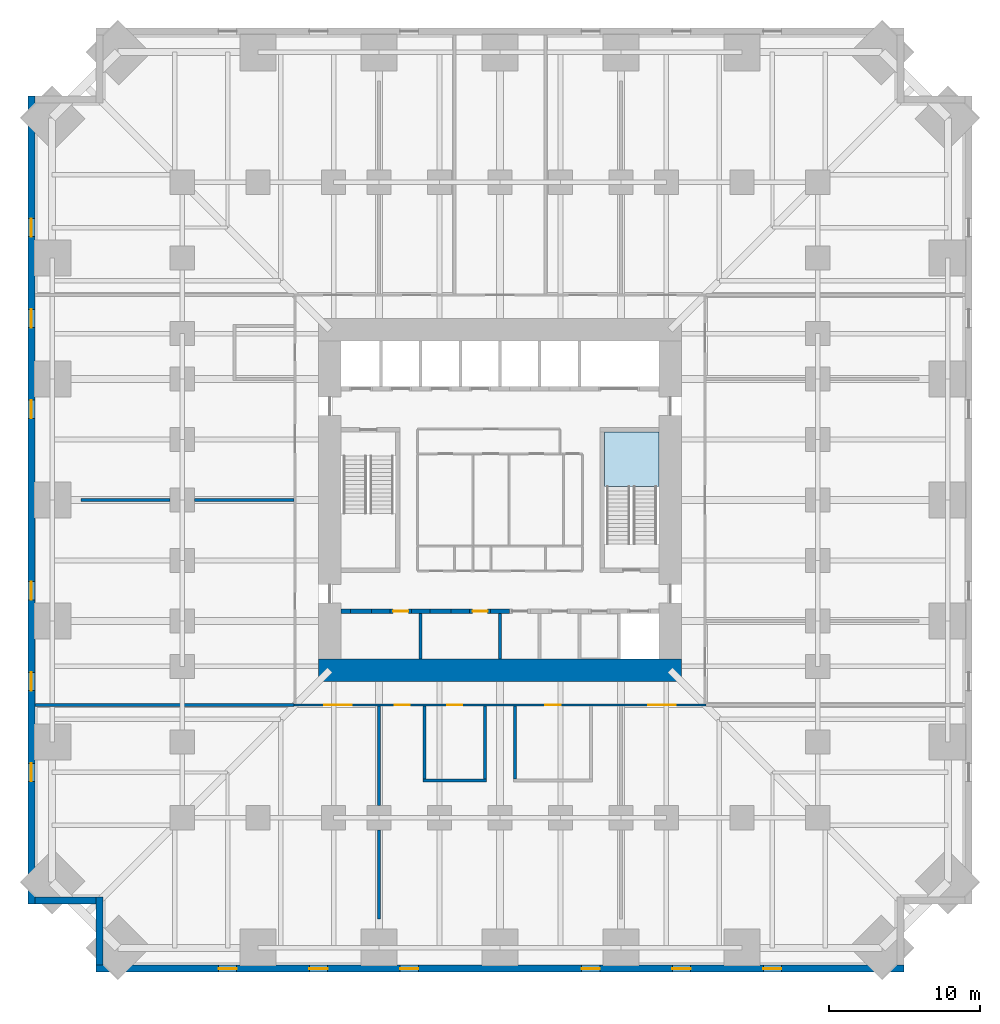
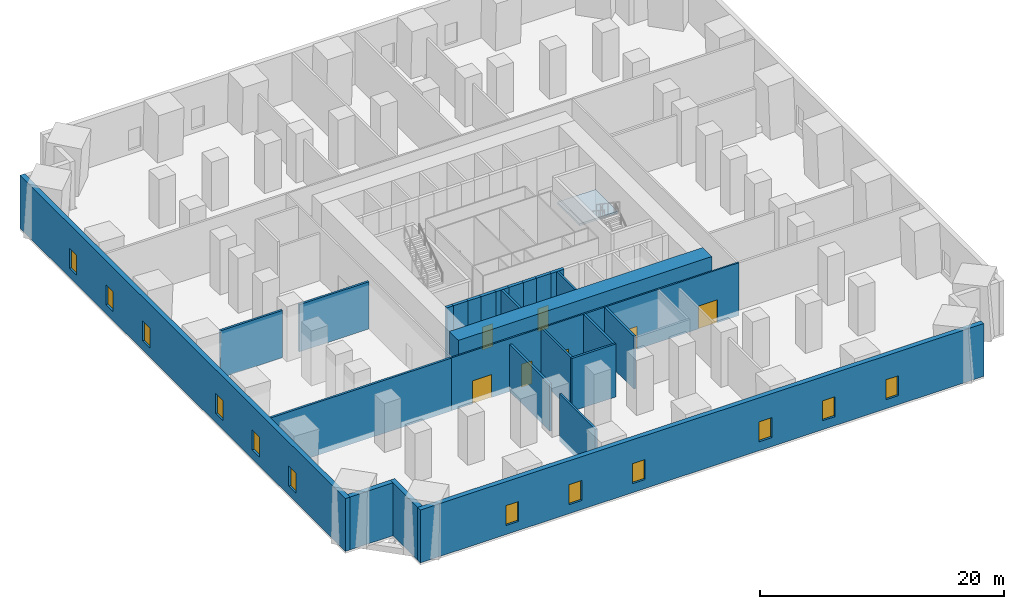
# One storey, part 3 of 8: 26 walls, 12 windows, 7 doors, 1 slab, 19 openings, 1 element without a shape of its own.
"""IFC4 building model written with IfcOpenShell, lengths in metres."""

from ifc_helpers import new_model, si_unit, direction, frame, frame_2d, origin, place, context, subcontext, project, spatial, polyline, rectangle, outline, extrude, material, layer, layer_set, type_object, element, fill, aggregate, save


model = new_model("IFC4")

# Units and contexts
model_context = context("Model", 3, precision=1e-05, world=origin(), true_north=direction((0.0, 1.0)))
body_context = subcontext(model_context, "Body", "Model", "MODEL_VIEW")
ifc_project = project(units=[si_unit("LENGTHUNIT", "METRE"), si_unit("AREAUNIT", "SQUARE_METRE"), si_unit("VOLUMEUNIT", "CUBIC_METRE"), si_unit("PLANEANGLEUNIT", "RADIAN"), si_unit("MASSUNIT", "GRAM", prefix="KILO")], contexts=[model_context])

# Site, building, storey
site_placement = place(None, origin())
site = spatial("IfcSite", under=ifc_project, at=site_placement, CompositionType="ELEMENT")
building_placement = place(site_placement, origin())
building = spatial("IfcBuilding", under=site, at=building_placement, Name="Peilmerk Tower", CompositionType="ELEMENT")
storey_placement = place(building_placement, frame((0.0, 0.0, 32.0)))
storey = spatial("IfcBuildingStorey", under=building, at=storey_placement, Name="L06", CompositionType="ELEMENT", Elevation=32.0)

# Stair, slab
ifc_material_1 = material(Name="Precast concrete C45/55", Category="concrete")
stair_type = type_object("IfcStairType", Name="ST2 30 risers of 183.3", PredefinedType="HALF_TURN_STAIR", material=ifc_material_1)
stair_placement = place(storey_placement, origin())
stair = element("IfcStair", 1, at=stair_placement, inside=storey, type_object=stair_type, Name="Stair 2 L06 to L07", PredefinedType="HALF_TURN_STAIR")
ifc_material_2 = material(Name="Concrete C35/45", Category="concrete")
ifc_layer_1 = layer(ifc_material_2, 0.199951171875)
ifc_layer_set_1 = layer_set([ifc_layer_1], Name="Concrete C35/45")
slab_type = type_object("IfcSlabType", Name="SL1 200 concrete stair landing", PredefinedType="LANDING", material=ifc_layer_set_1)
slab_placement = place(storey_placement, frame((0.0, 0.0, 2.550048828125)))
slab = element("IfcSlab", 2, at=slab_placement, type_object=slab_type, Name="ST2 landing 1", PredefinedType="LANDING", context=body_context, shape_type="SweptSolid", body=[
    extrude(outline(polyline([(6.89990234375, 0.8798828125), (10.5, 0.8798828125), (10.5, 4.5), (6.89990234375, 4.5), (6.89990234375, 0.8798828125)])), origin(), (0.0, 0.0, 1.0), 0.199951171875),
])
aggregate(stair, [slab])

# Wall, openings, windows
ifc_material_3 = material(Name="Precast concrete C45/55, board-marked finish", Category="concrete")
ifc_layer_2 = layer(ifc_material_3, 0.449951171875)
ifc_layer_set_2 = layer_set([ifc_layer_2], Name="Precast concrete C45/55, board-marked finish")
wall_type_1 = type_object("IfcWallType", Name="EW1 450 precast concrete facade wall, board-marked", PredefinedType="SOLIDWALL", material=ifc_layer_set_2)
wall_1_placement = place(storey_placement, frame((-26.699951171875, -30.97509765625, 0.0), z_axis=(0.0, 0.0, 1.0), x_axis=(1.0, 0.0, 0.0)))
wall_1 = element("IfcWall", 3, at=wall_1_placement, inside=storey, type_object=wall_type_1, Name="Facade wall S L06", PredefinedType="SOLIDWALL", context=body_context, shape_type="SweptSolid", body=[
    extrude(rectangle(XDim=53.39990234375, YDim=0.449951171875, at=frame_2d((26.699951171875, 0.0))), origin(), (0.0, 0.0, 1.0), 5.300048828125),
])
opening_1_placement = place(wall_1_placement, frame((8.10009765625, 0.0, 0.89990234375)))
opening_1 = element("IfcOpeningElement", 4, at=opening_1_placement, cuts=wall_1, Name="Opening W2", PredefinedType="OPENING", context=body_context, shape_type="SweptSolid", body=[
    extrude(rectangle(XDim=1.199951171875, YDim=2.0, at=frame_2d((0.60009765625, 1.0))), frame((0.0, 0.23486328125, 0.0), z_axis=(0.0, -1.0, 0.0), x_axis=(1.0, 0.0, 0.0)), (0.0, 0.0, 1.0), 0.469970703125),
])
opening_2_placement = place(wall_1_placement, frame((14.10009765625, 0.0, 0.89990234375)))
opening_2 = element("IfcOpeningElement", 5, at=opening_2_placement, cuts=wall_1, Name="Opening W2", PredefinedType="OPENING", context=body_context, shape_type="SweptSolid", body=[
    extrude(rectangle(XDim=1.199951171875, YDim=2.0, at=frame_2d((0.60009765625, 1.0))), frame((0.0, 0.23486328125, 0.0), z_axis=(0.0, -1.0, 0.0), x_axis=(1.0, 0.0, 0.0)), (0.0, 0.0, 1.0), 0.469970703125),
])
opening_3_placement = place(wall_1_placement, frame((20.10009765625, 0.0, 0.89990234375)))
opening_3 = element("IfcOpeningElement", 6, at=opening_3_placement, cuts=wall_1, Name="Opening W2", PredefinedType="OPENING", context=body_context, shape_type="SweptSolid", body=[
    extrude(rectangle(XDim=1.199951171875, YDim=2.0, at=frame_2d((0.60009765625, 1.0))), frame((0.0, 0.23486328125, 0.0), z_axis=(0.0, -1.0, 0.0), x_axis=(1.0, 0.0, 0.0)), (0.0, 0.0, 1.0), 0.469970703125),
])
opening_4_placement = place(wall_1_placement, frame((32.10009765625, 0.0, 0.89990234375)))
opening_4 = element("IfcOpeningElement", 7, at=opening_4_placement, cuts=wall_1, Name="Opening W2", PredefinedType="OPENING", context=body_context, shape_type="SweptSolid", body=[
    extrude(rectangle(XDim=1.199951171875, YDim=2.0, at=frame_2d((0.60009765625, 1.0))), frame((0.0, 0.23486328125, 0.0), z_axis=(0.0, -1.0, 0.0), x_axis=(1.0, 0.0, 0.0)), (0.0, 0.0, 1.0), 0.469970703125),
])
opening_5_placement = place(wall_1_placement, frame((38.10009765625, 0.0, 0.89990234375)))
opening_5 = element("IfcOpeningElement", 8, at=opening_5_placement, cuts=wall_1, Name="Opening W2", PredefinedType="OPENING", context=body_context, shape_type="SweptSolid", body=[
    extrude(rectangle(XDim=1.199951171875, YDim=2.0, at=frame_2d((0.60009765625, 1.0))), frame((0.0, 0.23486328125, 0.0), z_axis=(0.0, -1.0, 0.0), x_axis=(1.0, 0.0, 0.0)), (0.0, 0.0, 1.0), 0.469970703125),
])
opening_6_placement = place(wall_1_placement, frame((44.10009765625, 0.0, 0.89990234375)))
opening_6 = element("IfcOpeningElement", 9, at=opening_6_placement, cuts=wall_1, Name="Opening W2", PredefinedType="OPENING", context=body_context, shape_type="SweptSolid", body=[
    extrude(rectangle(XDim=1.199951171875, YDim=2.0, at=frame_2d((0.60009765625, 1.0))), frame((0.0, 0.23486328125, 0.0), z_axis=(0.0, -1.0, 0.0), x_axis=(1.0, 0.0, 0.0)), (0.0, 0.0, 1.0), 0.469970703125),
])
ifc_material_4 = material(Name="Aluminium frame, clear double glazing", Category="aluminium")
window_type = type_object("IfcWindowType", Name="W2 1200x2000 data hall slot window", PartitioningType="SINGLE_PANEL", PredefinedType="WINDOW", material=ifc_material_4)
window_1_placement = place(opening_1_placement, origin())
window_1 = element("IfcWindow", 10, at=window_1_placement, inside=storey, type_object=window_type, Name="Window W2 L06", OverallHeight=2.0, OverallWidth=1.199951171875, PartitioningType="SINGLE_PANEL", PredefinedType="WINDOW", context=body_context, shape_type="SweptSolid", body=[
    extrude(rectangle(XDim=1.199951171875, YDim=2.0, at=frame_2d((0.60009765625, 1.0))), frame((0.0, 0.030029296875, 0.0), z_axis=(0.0, -1.0, 0.0), x_axis=(1.0, 0.0, 0.0)), (0.0, 0.0, 1.0), 0.06005859375),
])
fill(opening_1, window_1)
window_2_placement = place(opening_2_placement, origin())
window_2 = element("IfcWindow", 11, at=window_2_placement, inside=storey, type_object=window_type, Name="Window W2 L06", OverallHeight=2.0, OverallWidth=1.199951171875, PartitioningType="SINGLE_PANEL", PredefinedType="WINDOW", context=body_context, shape_type="SweptSolid", body=[
    extrude(rectangle(XDim=1.199951171875, YDim=2.0, at=frame_2d((0.60009765625, 1.0))), frame((0.0, 0.030029296875, 0.0), z_axis=(0.0, -1.0, 0.0), x_axis=(1.0, 0.0, 0.0)), (0.0, 0.0, 1.0), 0.06005859375),
])
fill(opening_2, window_2)
window_3_placement = place(opening_3_placement, origin())
window_3 = element("IfcWindow", 12, at=window_3_placement, inside=storey, type_object=window_type, Name="Window W2 L06", OverallHeight=2.0, OverallWidth=1.199951171875, PartitioningType="SINGLE_PANEL", PredefinedType="WINDOW", context=body_context, shape_type="SweptSolid", body=[
    extrude(rectangle(XDim=1.199951171875, YDim=2.0, at=frame_2d((0.60009765625, 1.0))), frame((0.0, 0.030029296875, 0.0), z_axis=(0.0, -1.0, 0.0), x_axis=(1.0, 0.0, 0.0)), (0.0, 0.0, 1.0), 0.06005859375),
])
fill(opening_3, window_3)
window_4_placement = place(opening_4_placement, origin())
window_4 = element("IfcWindow", 13, at=window_4_placement, inside=storey, type_object=window_type, Name="Window W2 L06", OverallHeight=2.0, OverallWidth=1.199951171875, PartitioningType="SINGLE_PANEL", PredefinedType="WINDOW", context=body_context, shape_type="SweptSolid", body=[
    extrude(rectangle(XDim=1.199951171875, YDim=2.0, at=frame_2d((0.60009765625, 1.0))), frame((0.0, 0.030029296875, 0.0), z_axis=(0.0, -1.0, 0.0), x_axis=(1.0, 0.0, 0.0)), (0.0, 0.0, 1.0), 0.06005859375),
])
fill(opening_4, window_4)
window_5_placement = place(opening_5_placement, origin())
window_5 = element("IfcWindow", 14, at=window_5_placement, inside=storey, type_object=window_type, Name="Window W2 L06", OverallHeight=2.0, OverallWidth=1.199951171875, PartitioningType="SINGLE_PANEL", PredefinedType="WINDOW", context=body_context, shape_type="SweptSolid", body=[
    extrude(rectangle(XDim=1.199951171875, YDim=2.0, at=frame_2d((0.60009765625, 1.0))), frame((0.0, 0.030029296875, 0.0), z_axis=(0.0, -1.0, 0.0), x_axis=(1.0, 0.0, 0.0)), (0.0, 0.0, 1.0), 0.06005859375),
])
fill(opening_5, window_5)
window_6_placement = place(opening_6_placement, origin())
window_6 = element("IfcWindow", 15, at=window_6_placement, inside=storey, type_object=window_type, Name="Window W2 L06", OverallHeight=2.0, OverallWidth=1.199951171875, PartitioningType="SINGLE_PANEL", PredefinedType="WINDOW", context=body_context, shape_type="SweptSolid", body=[
    extrude(rectangle(XDim=1.199951171875, YDim=2.0, at=frame_2d((0.60009765625, 1.0))), frame((0.0, 0.030029296875, 0.0), z_axis=(0.0, -1.0, 0.0), x_axis=(1.0, 0.0, 0.0)), (0.0, 0.0, 1.0), 0.06005859375),
])
fill(opening_6, window_6)

wall_2_placement = place(storey_placement, frame((-30.97509765625, 26.699951171875, 0.0), z_axis=(0.0, 0.0, 1.0), x_axis=(0.0, -1.0, 0.0)))
wall_2 = element("IfcWall", 16, at=wall_2_placement, inside=storey, type_object=wall_type_1, Name="Facade wall W L06", PredefinedType="SOLIDWALL", context=body_context, shape_type="SweptSolid", body=[
    extrude(rectangle(XDim=53.39990234375, YDim=0.449951171875, at=frame_2d((26.699951171875, 0.0))), origin(), (0.0, 0.0, 1.0), 5.300048828125),
])
opening_7_placement = place(wall_2_placement, frame((8.10009765625, 0.0, 0.89990234375)))
opening_7 = element("IfcOpeningElement", 17, at=opening_7_placement, cuts=wall_2, Name="Opening W2", PredefinedType="OPENING", context=body_context, shape_type="SweptSolid", body=[
    extrude(rectangle(XDim=1.199951171875, YDim=2.0, at=frame_2d((0.60009765625, 1.0))), frame((0.0, 0.23486328125, 0.0), z_axis=(0.0, -1.0, 0.0), x_axis=(1.0, 0.0, 0.0)), (0.0, 0.0, 1.0), 0.469970703125),
])
opening_8_placement = place(wall_2_placement, frame((14.10009765625, 0.0, 0.89990234375)))
opening_8 = element("IfcOpeningElement", 18, at=opening_8_placement, cuts=wall_2, Name="Opening W2", PredefinedType="OPENING", context=body_context, shape_type="SweptSolid", body=[
    extrude(rectangle(XDim=1.199951171875, YDim=2.0, at=frame_2d((0.60009765625, 1.0))), frame((0.0, 0.23486328125, 0.0), z_axis=(0.0, -1.0, 0.0), x_axis=(1.0, 0.0, 0.0)), (0.0, 0.0, 1.0), 0.469970703125),
])
opening_9_placement = place(wall_2_placement, frame((20.10009765625, 0.0, 0.89990234375)))
opening_9 = element("IfcOpeningElement", 19, at=opening_9_placement, cuts=wall_2, Name="Opening W2", PredefinedType="OPENING", context=body_context, shape_type="SweptSolid", body=[
    extrude(rectangle(XDim=1.199951171875, YDim=2.0, at=frame_2d((0.60009765625, 1.0))), frame((0.0, 0.23486328125, 0.0), z_axis=(0.0, -1.0, 0.0), x_axis=(1.0, 0.0, 0.0)), (0.0, 0.0, 1.0), 0.469970703125),
])
opening_10_placement = place(wall_2_placement, frame((32.10009765625, 0.0, 0.89990234375)))
opening_10 = element("IfcOpeningElement", 20, at=opening_10_placement, cuts=wall_2, Name="Opening W2", PredefinedType="OPENING", context=body_context, shape_type="SweptSolid", body=[
    extrude(rectangle(XDim=1.199951171875, YDim=2.0, at=frame_2d((0.60009765625, 1.0))), frame((0.0, 0.23486328125, 0.0), z_axis=(0.0, -1.0, 0.0), x_axis=(1.0, 0.0, 0.0)), (0.0, 0.0, 1.0), 0.469970703125),
])
opening_11_placement = place(wall_2_placement, frame((38.10009765625, 0.0, 0.89990234375)))
opening_11 = element("IfcOpeningElement", 21, at=opening_11_placement, cuts=wall_2, Name="Opening W2", PredefinedType="OPENING", context=body_context, shape_type="SweptSolid", body=[
    extrude(rectangle(XDim=1.199951171875, YDim=2.0, at=frame_2d((0.60009765625, 1.0))), frame((0.0, 0.23486328125, 0.0), z_axis=(0.0, -1.0, 0.0), x_axis=(1.0, 0.0, 0.0)), (0.0, 0.0, 1.0), 0.469970703125),
])
opening_12_placement = place(wall_2_placement, frame((44.10009765625, 0.0, 0.89990234375)))
opening_12 = element("IfcOpeningElement", 22, at=opening_12_placement, cuts=wall_2, Name="Opening W2", PredefinedType="OPENING", context=body_context, shape_type="SweptSolid", body=[
    extrude(rectangle(XDim=1.199951171875, YDim=2.0, at=frame_2d((0.60009765625, 1.0))), frame((0.0, 0.23486328125, 0.0), z_axis=(0.0, -1.0, 0.0), x_axis=(1.0, 0.0, 0.0)), (0.0, 0.0, 1.0), 0.469970703125),
])
window_7_placement = place(opening_7_placement, origin())
window_7 = element("IfcWindow", 23, at=window_7_placement, inside=storey, type_object=window_type, Name="Window W2 L06", OverallHeight=2.0, OverallWidth=1.199951171875, PartitioningType="SINGLE_PANEL", PredefinedType="WINDOW", context=body_context, shape_type="SweptSolid", body=[
    extrude(rectangle(XDim=1.199951171875, YDim=2.0, at=frame_2d((0.60009765625, 1.0))), frame((0.0, 0.030029296875, 0.0), z_axis=(0.0, -1.0, 0.0), x_axis=(1.0, 0.0, 0.0)), (0.0, 0.0, 1.0), 0.06005859375),
])
fill(opening_7, window_7)
window_8_placement = place(opening_8_placement, origin())
window_8 = element("IfcWindow", 24, at=window_8_placement, inside=storey, type_object=window_type, Name="Window W2 L06", OverallHeight=2.0, OverallWidth=1.199951171875, PartitioningType="SINGLE_PANEL", PredefinedType="WINDOW", context=body_context, shape_type="SweptSolid", body=[
    extrude(rectangle(XDim=1.199951171875, YDim=2.0, at=frame_2d((0.60009765625, 1.0))), frame((0.0, 0.030029296875, 0.0), z_axis=(0.0, -1.0, 0.0), x_axis=(1.0, 0.0, 0.0)), (0.0, 0.0, 1.0), 0.06005859375),
])
fill(opening_8, window_8)
window_9_placement = place(opening_9_placement, origin())
window_9 = element("IfcWindow", 25, at=window_9_placement, inside=storey, type_object=window_type, Name="Window W2 L06", OverallHeight=2.0, OverallWidth=1.199951171875, PartitioningType="SINGLE_PANEL", PredefinedType="WINDOW", context=body_context, shape_type="SweptSolid", body=[
    extrude(rectangle(XDim=1.199951171875, YDim=2.0, at=frame_2d((0.60009765625, 1.0))), frame((0.0, 0.030029296875, 0.0), z_axis=(0.0, -1.0, 0.0), x_axis=(1.0, 0.0, 0.0)), (0.0, 0.0, 1.0), 0.06005859375),
])
fill(opening_9, window_9)
window_10_placement = place(opening_10_placement, origin())
window_10 = element("IfcWindow", 26, at=window_10_placement, inside=storey, type_object=window_type, Name="Window W2 L06", OverallHeight=2.0, OverallWidth=1.199951171875, PartitioningType="SINGLE_PANEL", PredefinedType="WINDOW", context=body_context, shape_type="SweptSolid", body=[
    extrude(rectangle(XDim=1.199951171875, YDim=2.0, at=frame_2d((0.60009765625, 1.0))), frame((0.0, 0.030029296875, 0.0), z_axis=(0.0, -1.0, 0.0), x_axis=(1.0, 0.0, 0.0)), (0.0, 0.0, 1.0), 0.06005859375),
])
fill(opening_10, window_10)
window_11_placement = place(opening_11_placement, origin())
window_11 = element("IfcWindow", 27, at=window_11_placement, inside=storey, type_object=window_type, Name="Window W2 L06", OverallHeight=2.0, OverallWidth=1.199951171875, PartitioningType="SINGLE_PANEL", PredefinedType="WINDOW", context=body_context, shape_type="SweptSolid", body=[
    extrude(rectangle(XDim=1.199951171875, YDim=2.0, at=frame_2d((0.60009765625, 1.0))), frame((0.0, 0.030029296875, 0.0), z_axis=(0.0, -1.0, 0.0), x_axis=(1.0, 0.0, 0.0)), (0.0, 0.0, 1.0), 0.06005859375),
])
fill(opening_11, window_11)
window_12_placement = place(opening_12_placement, origin())
window_12 = element("IfcWindow", 28, at=window_12_placement, inside=storey, type_object=window_type, Name="Window W2 L06", OverallHeight=2.0, OverallWidth=1.199951171875, PartitioningType="SINGLE_PANEL", PredefinedType="WINDOW", context=body_context, shape_type="SweptSolid", body=[
    extrude(rectangle(XDim=1.199951171875, YDim=2.0, at=frame_2d((0.60009765625, 1.0))), frame((0.0, 0.030029296875, 0.0), z_axis=(0.0, -1.0, 0.0), x_axis=(1.0, 0.0, 0.0)), (0.0, 0.0, 1.0), 0.06005859375),
])
fill(opening_12, window_12)

# Walls
wall_3_placement = place(storey_placement, frame((-26.47509765625, -26.25, 0.0), z_axis=(0.0, 0.0, 1.0), x_axis=(0.0, -1.0, 0.0)))
element("IfcWall", 29, at=wall_3_placement, inside=storey, type_object=wall_type_1, Name="Facade wall SWA L06", PredefinedType="SOLIDWALL", context=body_context, shape_type="SweptSolid", body=[
    extrude(rectangle(XDim=4.5, YDim=0.449951171875, at=frame_2d((2.25, 0.0))), origin(), (0.0, 0.0, 1.0), 5.300048828125),
])
wall_4_placement = place(storey_placement, frame((-26.699951171875, -26.47509765625, 0.0), z_axis=(0.0, 0.0, 1.0), x_axis=(-1.0, 0.0, 0.0)))
element("IfcWall", 30, at=wall_4_placement, inside=storey, type_object=wall_type_1, Name="Facade wall SWB L06", PredefinedType="SOLIDWALL", context=body_context, shape_type="SweptSolid", body=[
    extrude(rectangle(XDim=4.050048828125, YDim=0.449951171875, at=frame_2d((2.02490234375, 0.0))), origin(), (0.0, 0.0, 1.0), 5.300048828125),
])

# Wall, openings, doors
ifc_material_5 = material(Name="Calcium silicate block", Category="masonry")
ifc_layer_3 = layer(ifc_material_5, 0.14990234375)
ifc_layer_set_3 = layer_set([ifc_layer_3], Name="Calcium silicate block")
wall_type_2 = type_object("IfcWallType", Name="IW1 150 corridor partition, EI 60", PredefinedType="PARTITIONING", material=ifc_layer_set_3)
wall_5_placement = place(storey_placement, frame((13.625, -13.550048828125, 0.0), z_axis=(0.0, 0.0, 1.0), x_axis=(-1.0, 0.0, 0.0)))
wall_5 = element("IfcWall", 31, at=wall_5_placement, inside=storey, type_object=wall_type_2, Name="Corridor wall S L06", PredefinedType="PARTITIONING", context=body_context, shape_type="SweptSolid", body=[
    extrude(rectangle(XDim=27.25, YDim=0.14990234375, at=frame_2d((13.625, 0.0))), origin(), (0.0, 0.0, 1.0), 5.300048828125),
])
opening_13_placement = place(wall_5_placement, frame((23.425048828125, 0.0, 0.0)))
opening_13 = element("IfcOpeningElement", 32, at=opening_13_placement, cuts=wall_5, Name="Opening D2", PredefinedType="OPENING", context=body_context, shape_type="SweptSolid", body=[
    extrude(rectangle(XDim=1.800048828125, YDim=2.300048828125, at=frame_2d((0.89990234375, 1.14990234375))), frame((0.0, 0.0849609375, 0.0), z_axis=(0.0, -1.0, 0.0), x_axis=(1.0, 0.0, 0.0)), (0.0, 0.0, 1.0), 0.169921875),
])
opening_14_placement = place(wall_5_placement, frame((19.574951171875, 0.0, 0.0)))
opening_14 = element("IfcOpeningElement", 33, at=opening_14_placement, cuts=wall_5, Name="Opening D1", PredefinedType="OPENING", context=body_context, shape_type="SweptSolid", body=[
    extrude(rectangle(XDim=1.0, YDim=2.300048828125, at=frame_2d((0.5, 1.14990234375))), frame((0.0, 0.0849609375, 0.0), z_axis=(0.0, -1.0, 0.0), x_axis=(1.0, 0.0, 0.0)), (0.0, 0.0, 1.0), 0.169921875),
])
opening_15_placement = place(wall_5_placement, frame((2.02490234375, 0.0, 0.0)))
opening_15 = element("IfcOpeningElement", 34, at=opening_15_placement, cuts=wall_5, Name="Opening D2", PredefinedType="OPENING", context=body_context, shape_type="SweptSolid", body=[
    extrude(rectangle(XDim=1.800048828125, YDim=2.300048828125, at=frame_2d((0.89990234375, 1.14990234375))), frame((0.0, 0.0849609375, 0.0), z_axis=(0.0, -1.0, 0.0), x_axis=(1.0, 0.0, 0.0)), (0.0, 0.0, 1.0), 0.169921875),
])
opening_16_placement = place(wall_5_placement, frame((16.125, 0.0, 0.0)))
opening_16 = element("IfcOpeningElement", 35, at=opening_16_placement, cuts=wall_5, Name="Opening D1", PredefinedType="OPENING", context=body_context, shape_type="SweptSolid", body=[
    extrude(rectangle(XDim=1.0, YDim=2.300048828125, at=frame_2d((0.5, 1.14990234375))), frame((0.0, 0.0849609375, 0.0), z_axis=(0.0, -1.0, 0.0), x_axis=(1.0, 0.0, 0.0)), (0.0, 0.0, 1.0), 0.169921875),
])
opening_17_placement = place(wall_5_placement, frame((9.625, 0.0, 0.0)))
opening_17 = element("IfcOpeningElement", 36, at=opening_17_placement, cuts=wall_5, Name="Opening D1", PredefinedType="OPENING", context=body_context, shape_type="SweptSolid", body=[
    extrude(rectangle(XDim=1.0, YDim=2.300048828125, at=frame_2d((0.5, 1.14990234375))), frame((0.0, 0.0849609375, 0.0), z_axis=(0.0, -1.0, 0.0), x_axis=(1.0, 0.0, 0.0)), (0.0, 0.0, 1.0), 0.169921875),
])
ifc_material_6 = material(Name="Timber door in steel frame", Category="steel")
door_type_1 = type_object("IfcDoorType", Name="D1 1000x2300 room door, EI2 30", OperationType="SINGLE_SWING_LEFT", PredefinedType="DOOR", material=ifc_material_6)
door_1_placement = place(opening_14_placement, origin())
door_1 = element("IfcDoor", 37, at=door_1_placement, inside=storey, type_object=door_type_1, Name="Door Staging room L06", OperationType="SINGLE_SWING_LEFT", OverallHeight=2.300048828125, OverallWidth=1.0, PredefinedType="DOOR", context=body_context, shape_type="SweptSolid", body=[
    extrude(rectangle(XDim=1.0, YDim=2.300048828125, at=frame_2d((0.5, 1.14990234375))), frame((0.0, 0.02490234375, 0.0), z_axis=(0.0, -1.0, 0.0), x_axis=(1.0, 0.0, 0.0)), (0.0, 0.0, 1.0), 0.050048828125),
])
fill(opening_14, door_1)
door_2_placement = place(opening_16_placement, origin())
door_2 = element("IfcDoor", 38, at=door_2_placement, inside=storey, type_object=door_type_1, Name="Door Spares room L06", OperationType="SINGLE_SWING_LEFT", OverallHeight=2.300048828125, OverallWidth=1.0, PredefinedType="DOOR", context=body_context, shape_type="SweptSolid", body=[
    extrude(rectangle(XDim=1.0, YDim=2.300048828125, at=frame_2d((0.5, 1.14990234375))), frame((0.0, 0.02490234375, 0.0), z_axis=(0.0, -1.0, 0.0), x_axis=(1.0, 0.0, 0.0)), (0.0, 0.0, 1.0), 0.050048828125),
])
fill(opening_16, door_2)
door_3_placement = place(opening_17_placement, origin())
door_3 = element("IfcDoor", 39, at=door_3_placement, inside=storey, type_object=door_type_1, Name="Door Operations office L06", OperationType="SINGLE_SWING_LEFT", OverallHeight=2.300048828125, OverallWidth=1.0, PredefinedType="DOOR", context=body_context, shape_type="SweptSolid", body=[
    extrude(rectangle(XDim=1.0, YDim=2.300048828125, at=frame_2d((0.5, 1.14990234375))), frame((0.0, 0.02490234375, 0.0), z_axis=(0.0, -1.0, 0.0), x_axis=(1.0, 0.0, 0.0)), (0.0, 0.0, 1.0), 0.050048828125),
])
fill(opening_17, door_3)
ifc_material_7 = material(Name="Steel door in steel frame", Category="steel")
door_type_2 = type_object("IfcDoorType", Name="D2 1800x2300 double door, EI2 60", OperationType="DOUBLE_DOOR_DOUBLE_SWING", PredefinedType="DOOR", material=ifc_material_7)
door_4_placement = place(opening_13_placement, origin())
door_4 = element("IfcDoor", 40, at=door_4_placement, inside=storey, type_object=door_type_2, Name="Door Computer room A L06", OperationType="DOUBLE_DOOR_DOUBLE_SWING", OverallHeight=2.300048828125, OverallWidth=1.800048828125, PredefinedType="DOOR", context=body_context, shape_type="SweptSolid", body=[
    extrude(rectangle(XDim=1.800048828125, YDim=2.300048828125, at=frame_2d((0.89990234375, 1.14990234375))), frame((0.0, 0.02490234375, 0.0), z_axis=(0.0, -1.0, 0.0), x_axis=(1.0, 0.0, 0.0)), (0.0, 0.0, 1.0), 0.050048828125),
])
fill(opening_13, door_4)
door_5_placement = place(opening_15_placement, origin())
door_5 = element("IfcDoor", 41, at=door_5_placement, inside=storey, type_object=door_type_2, Name="Door Computer room B L06", OperationType="DOUBLE_DOOR_DOUBLE_SWING", OverallHeight=2.300048828125, OverallWidth=1.800048828125, PredefinedType="DOOR", context=body_context, shape_type="SweptSolid", body=[
    extrude(rectangle(XDim=1.800048828125, YDim=2.300048828125, at=frame_2d((0.89990234375, 1.14990234375))), frame((0.0, 0.02490234375, 0.0), z_axis=(0.0, -1.0, 0.0), x_axis=(1.0, 0.0, 0.0)), (0.0, 0.0, 1.0), 0.050048828125),
])
fill(opening_15, door_5)

# Walls
ifc_layer_4 = layer(ifc_material_5, 0.199951171875)
ifc_layer_set_4 = layer_set([ifc_layer_4], Name="Calcium silicate block")
wall_type_3 = type_object("IfcWallType", Name="IW2 200 room separating wall, EI 120", PredefinedType="PARTITIONING", material=ifc_layer_set_4)
wall_6_placement = place(storey_placement, frame((-13.625, -13.550048828125, 0.0), z_axis=(0.0, 0.0, 1.0), x_axis=(-1.0, 0.0, 0.0)))
element("IfcWall", 42, at=wall_6_placement, inside=storey, type_object=wall_type_3, Name="Room separating wall SW L06", PredefinedType="PARTITIONING", context=body_context, shape_type="SweptSolid", body=[
    extrude(rectangle(XDim=17.125, YDim=0.199951171875, at=frame_2d((8.5625, 0.0))), origin(), (0.0, 0.0, 1.0), 5.300048828125),
])
wall_7_placement = place(storey_placement, frame((-8.0, -13.625, 0.0), z_axis=(0.0, 0.0, 1.0), x_axis=(0.0, -1.0, 0.0)))
element("IfcWall", 43, at=wall_7_placement, inside=storey, type_object=wall_type_3, Name="Room separating wall S1 L06", PredefinedType="PARTITIONING", context=body_context, shape_type="SweptSolid", body=[
    extrude(rectangle(XDim=6.574951171875, YDim=0.199951171875, at=frame_2d((3.28759765625, 0.0))), origin(), (0.0, 0.0, 1.0), 4.73095703125),
])
wall_8_placement = place(storey_placement, frame((-8.0, -21.800048828125, 0.0), z_axis=(0.0, 0.0, 1.0), x_axis=(0.0, -1.0, 0.0)))
element("IfcWall", 44, at=wall_8_placement, inside=storey, type_object=wall_type_3, Name="Room separating wall S1b L06", PredefinedType="PARTITIONING", context=body_context, shape_type="SweptSolid", body=[
    extrude(rectangle(XDim=5.887451171875, YDim=0.199951171875, at=frame_2d((2.94384765625, 0.0))), origin(), (0.0, 0.0, 1.0), 4.73095703125),
])
wall_9_placement = place(storey_placement, frame((-13.625, 0.0, 0.0), z_axis=(0.0, 0.0, 1.0), x_axis=(-1.0, 0.0, 0.0)))
element("IfcWall", 45, at=wall_9_placement, inside=storey, type_object=wall_type_3, Name="Room separating wall W1 L06", PredefinedType="PARTITIONING", context=body_context, shape_type="SweptSolid", body=[
    extrude(rectangle(XDim=6.574951171875, YDim=0.199951171875, at=frame_2d((3.28759765625, 0.0))), origin(), (0.0, 0.0, 1.0), 4.73095703125),
])
wall_10_placement = place(storey_placement, frame((-21.800048828125, 0.0, 0.0), z_axis=(0.0, 0.0, 1.0), x_axis=(-1.0, 0.0, 0.0)))
element("IfcWall", 46, at=wall_10_placement, inside=storey, type_object=wall_type_3, Name="Room separating wall W1b L06", PredefinedType="PARTITIONING", context=body_context, shape_type="SweptSolid", body=[
    extrude(rectangle(XDim=5.887451171875, YDim=0.199951171875, at=frame_2d((2.94384765625, 0.0))), origin(), (0.0, 0.0, 1.0), 4.73095703125),
])
wall_11_placement = place(storey_placement, frame((-5.10009765625, -18.550048828125, 0.0), z_axis=(0.0, 0.0, 1.0), x_axis=(1.0, 0.0, 0.0)))
element("IfcWall", 47, at=wall_11_placement, inside=storey, type_object=wall_type_3, Name="Room separating wall Spares room L06", PredefinedType="PARTITIONING", context=body_context, shape_type="SweptSolid", body=[
    extrude(rectangle(XDim=4.2001953125, YDim=0.199951171875, at=frame_2d((2.10009765625, 0.0))), origin(), (0.0, 0.0, 1.0), 5.300048828125),
])
for number, where, z_axis, x_axis, name in (
    (48, (-5.0, -13.625, 0.0), (0.0, 0.0, 1.0), (0.0, -1.0, 0.0), "Room separating wall Spares room L06"),
    (49, (-1.0, -13.625, 0.0), (0.0, 0.0, 1.0), (0.0, -1.0, 0.0), "Room separating wall Spares room L06"),
    (50, (1.0, -13.625, 0.0), (0.0, 0.0, 1.0), (0.0, -1.0, 0.0), "Room separating wall Operations office L06"),
):
    element("IfcWall", number, at=place(storey_placement, frame(where, z_axis=z_axis, x_axis=x_axis)), inside=storey, type_object=wall_type_3, Name=name, PredefinedType="PARTITIONING", context=body_context, shape_type="SweptSolid", body=[
        extrude(rectangle(XDim=4.824951171875, YDim=0.199951171875, at=frame_2d((2.41259765625, 0.0))), origin(), (0.0, 0.0, 1.0), 5.300048828125),
    ])
ifc_layer_5 = layer(ifc_material_5, 0.199951171875)
ifc_layer_set_5 = layer_set([ifc_layer_5], Name="Calcium silicate block")
wall_type_4 = type_object("IfcWallType", Name="SH1 200 shaft dividing wall, EI 120", PredefinedType="PARTITIONING", material=ifc_layer_set_5)
for number, where, z_axis, x_axis, name in (
    (51, (-5.25, -10.5, 0.0), (0.0, 0.0, 1.0), (0.0, 1.0, 0.0), "Shaft wall S C3 L06"),
    (52, (0.0, -10.5, 0.0), (0.0, 0.0, 1.0), (0.0, 1.0, 0.0), "Shaft wall S C1 L06"),
):
    element("IfcWall", number, at=place(storey_placement, frame(where, z_axis=z_axis, x_axis=x_axis)), inside=storey, type_object=wall_type_4, Name=name, PredefinedType="PARTITIONING", context=body_context, shape_type="SweptSolid", body=[
        extrude(rectangle(XDim=3.0, YDim=0.199951171875, at=frame_2d((1.5, 0.0))), origin(), (0.0, 0.0, 1.0), 5.5),
    ])
ifc_layer_6 = layer(ifc_material_5, 0.300048828125)
ifc_layer_set_6 = layer_set([ifc_layer_6], Name="Calcium silicate block")
wall_type_5 = type_object("IfcWallType", Name="SH2 300 lift landing door panel, EI 120", PredefinedType="PARTITIONING", material=ifc_layer_set_6)
wall_12_placement = place(storey_placement, frame((-9.887451171875, -7.35009765625, 0.0), z_axis=(0.0, 0.0, 1.0), x_axis=(1.0, 0.0, 0.0)))
element("IfcWall", 53, at=wall_12_placement, inside=storey, type_object=wall_type_5, Name="Lift door panel S C4 L06", PredefinedType="PARTITIONING", context=body_context, shape_type="SweptSolid", body=[
    extrude(rectangle(XDim=1.39990234375, YDim=0.300048828125, at=frame_2d((0.699951171875, 0.0))), origin(), (0.0, 0.0, 1.0), 5.5),
])

# Wall, opening, door
wall_13_placement = place(storey_placement, frame((-7.262451171875, -7.35009765625, 0.0), z_axis=(0.0, 0.0, 1.0), x_axis=(1.0, 0.0, 0.0)))
wall_13 = element("IfcWall", 54, at=wall_13_placement, inside=storey, type_object=wall_type_5, Name="Lift door panel S C3 L06", PredefinedType="PARTITIONING", context=body_context, shape_type="SweptSolid", body=[
    extrude(rectangle(XDim=1.39990234375, YDim=0.300048828125, at=frame_2d((0.699951171875, 0.0))), origin(), (0.0, 0.0, 1.0), 5.5),
])
opening_18_placement = place(wall_13_placement, frame((0.199951171875, 0.0, 0.0)))
opening_18 = element("IfcOpeningElement", 55, at=opening_18_placement, cuts=wall_13, Name="Opening D10", PredefinedType="OPENING", context=body_context, shape_type="SweptSolid", body=[
    extrude(rectangle(XDim=1.0, YDim=2.300048828125, at=frame_2d((0.5, 1.14990234375))), frame((0.0, 0.159912109375, 0.0), z_axis=(0.0, -1.0, 0.0), x_axis=(1.0, 0.0, 0.0)), (0.0, 0.0, 1.0), 0.320068359375),
])
door_type_3 = type_object("IfcDoorType", Name="D10 1000x2300 core room door, EI2 60", OperationType="SINGLE_SWING_RIGHT", PredefinedType="DOOR", material=ifc_material_7)
door_6_placement = place(opening_18_placement, frame((1.0, 0.0, 0.0), z_axis=(0.0, 0.0, 1.0), x_axis=(-1.0, 0.0, 0.0)))
door_6 = element("IfcDoor", 56, at=door_6_placement, inside=storey, type_object=door_type_3, Name="Door IT room L06", OperationType="SINGLE_SWING_RIGHT", OverallHeight=2.300048828125, OverallWidth=1.0, PredefinedType="DOOR", context=body_context, shape_type="SweptSolid", body=[
    extrude(rectangle(XDim=1.0, YDim=2.300048828125, at=frame_2d((0.5, 1.14990234375))), frame((0.0, 0.02490234375, 0.0), z_axis=(0.0, -1.0, 0.0), x_axis=(1.0, 0.0, 0.0)), (0.0, 0.0, 1.0), 0.050048828125),
])
fill(opening_18, door_6)

# Wall
wall_14_placement = place(storey_placement, frame((-4.637451171875, -7.35009765625, 0.0), z_axis=(0.0, 0.0, 1.0), x_axis=(1.0, 0.0, 0.0)))
element("IfcWall", 57, at=wall_14_placement, inside=storey, type_object=wall_type_5, Name="Lift door panel S C2 L06", PredefinedType="PARTITIONING", context=body_context, shape_type="SweptSolid", body=[
    extrude(rectangle(XDim=1.39990234375, YDim=0.300048828125, at=frame_2d((0.699951171875, 0.0))), origin(), (0.0, 0.0, 1.0), 5.5),
])

# Wall, opening, door
wall_15_placement = place(storey_placement, frame((-2.012451171875, -7.35009765625, 0.0), z_axis=(0.0, 0.0, 1.0), x_axis=(1.0, 0.0, 0.0)))
wall_15 = element("IfcWall", 58, at=wall_15_placement, inside=storey, type_object=wall_type_5, Name="Lift door panel S C1 L06", PredefinedType="PARTITIONING", context=body_context, shape_type="SweptSolid", body=[
    extrude(rectangle(XDim=1.39990234375, YDim=0.300048828125, at=frame_2d((0.699951171875, 0.0))), origin(), (0.0, 0.0, 1.0), 5.5),
])
opening_19_placement = place(wall_15_placement, frame((0.199951171875, 0.0, 0.0)))
opening_19 = element("IfcOpeningElement", 59, at=opening_19_placement, cuts=wall_15, Name="Opening D10", PredefinedType="OPENING", context=body_context, shape_type="SweptSolid", body=[
    extrude(rectangle(XDim=1.0, YDim=2.300048828125, at=frame_2d((0.5, 1.14990234375))), frame((0.0, 0.159912109375, 0.0), z_axis=(0.0, -1.0, 0.0), x_axis=(1.0, 0.0, 0.0)), (0.0, 0.0, 1.0), 0.320068359375),
])
door_7_placement = place(opening_19_placement, frame((1.0, 0.0, 0.0), z_axis=(0.0, 0.0, 1.0), x_axis=(-1.0, 0.0, 0.0)))
door_7 = element("IfcDoor", 60, at=door_7_placement, inside=storey, type_object=door_type_3, Name="Door Vending room L06", OperationType="SINGLE_SWING_RIGHT", OverallHeight=2.300048828125, OverallWidth=1.0, PredefinedType="DOOR", context=body_context, shape_type="SweptSolid", body=[
    extrude(rectangle(XDim=1.0, YDim=2.300048828125, at=frame_2d((0.5, 1.14990234375))), frame((0.0, 0.02490234375, 0.0), z_axis=(0.0, -1.0, 0.0), x_axis=(1.0, 0.0, 0.0)), (0.0, 0.0, 1.0), 0.050048828125),
])
fill(opening_19, door_7)

# Walls
ifc_material_8 = material(Name="Concrete C55/67", Category="concrete")
ifc_layer_7 = layer(ifc_material_8, 1.5)
ifc_layer_set_7 = layer_set([ifc_layer_7], Name="Concrete C55/67")
wall_type_6 = type_object("IfcWallType", Name="SW1 1500 core wall", PredefinedType="SHEAR", material=ifc_layer_set_7)
wall_16_placement = place(storey_placement, frame((12.0, -11.25, 0.0), z_axis=(0.0, 0.0, 1.0), x_axis=(-1.0, 0.0, 0.0)))
element("IfcWall", 61, at=wall_16_placement, inside=storey, type_object=wall_type_6, Name="Core wall S L06", PredefinedType="SHEAR", context=body_context, shape_type="SweptSolid", body=[
    extrude(rectangle(XDim=24.0, YDim=1.5, at=frame_2d((12.0, 0.0))), origin(), (0.0, 0.0, 1.0), 5.5),
])
ifc_layer_8 = layer(ifc_material_8, 0.300048828125)
ifc_layer_set_8 = layer_set([ifc_layer_8], Name="Concrete C55/67")
wall_type_7 = type_object("IfcWallType", Name="SW2 300 lift bank pier", PredefinedType="SHEAR", material=ifc_layer_set_8)
wall_17_placement = place(storey_placement, frame((-10.5, -7.35009765625, 0.0), z_axis=(0.0, 0.0, 1.0), x_axis=(1.0, 0.0, 0.0)))
element("IfcWall", 62, at=wall_17_placement, inside=storey, type_object=wall_type_7, Name="Lift bank pier S L06", PredefinedType="SHEAR", context=body_context, shape_type="SweptSolid", body=[
    extrude(rectangle(XDim=0.612548828125, YDim=0.300048828125, at=frame_2d((0.30615234375, 0.0))), origin(), (0.0, 0.0, 1.0), 5.5),
])
for number, where, z_axis, x_axis, name in (
    (63, (-8.487548828125, -7.35009765625, 0.0), (0.0, 0.0, 1.0), (1.0, 0.0, 0.0), "Lift bank pier S L06"),
    (64, (-5.862548828125, -7.35009765625, 0.0), (0.0, 0.0, 1.0), (1.0, 0.0, 0.0), "Lift bank pier S L06"),
    (65, (-3.237548828125, -7.35009765625, 0.0), (0.0, 0.0, 1.0), (1.0, 0.0, 0.0), "Lift bank pier S L06"),
    (66, (-0.612548828125, -7.35009765625, 0.0), (0.0, 0.0, 1.0), (1.0, 0.0, 0.0), "Lift bank pier S L06"),
):
    element("IfcWall", number, at=place(storey_placement, frame(where, z_axis=z_axis, x_axis=x_axis)), inside=storey, type_object=wall_type_7, Name=name, PredefinedType="SHEAR", context=body_context, shape_type="SweptSolid", body=[
        extrude(rectangle(XDim=1.22509765625, YDim=0.300048828125, at=frame_2d((0.612548828125, 0.0))), origin(), (0.0, 0.0, 1.0), 5.5),
    ])

save(model, "model.ifc")
